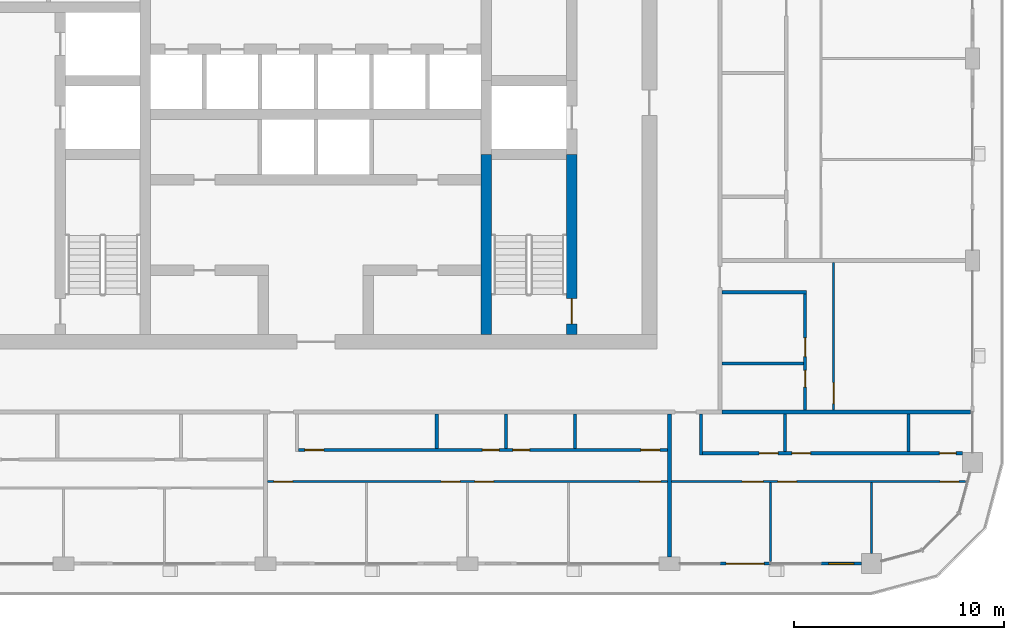
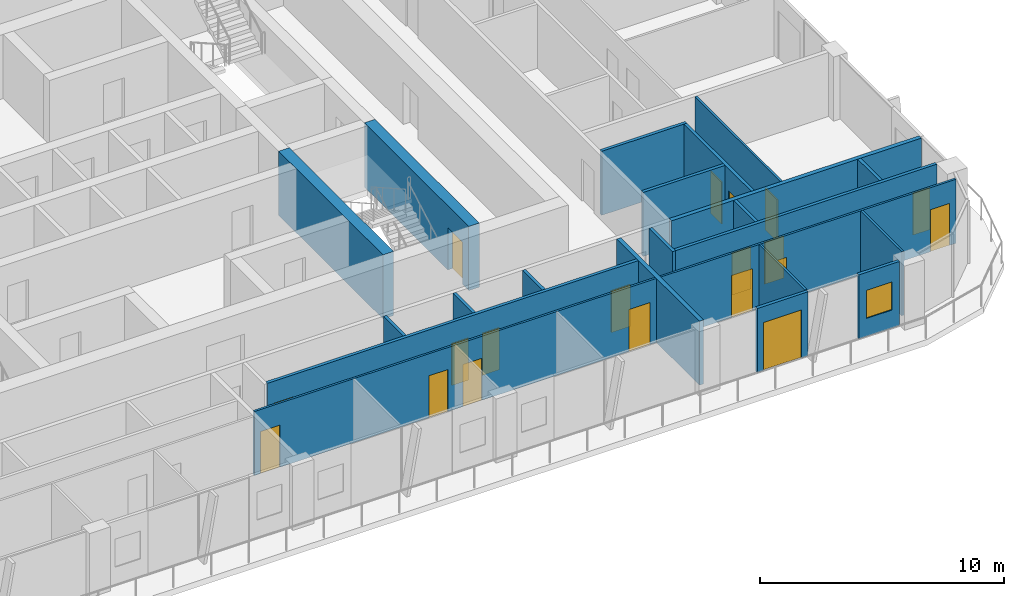
# One storey, part 12 of 23: 22 walls, 19 doors, 1 window, 20 openings.
"""IFC4 building model written with IfcOpenShell, lengths in metres."""

import ifcopenshell
import ifcopenshell.guid

model = None  # the IFC model being written
_history = None  # IfcOwnerHistory: only IFC2X3 demands one
_inside = {}  # id of a spatial element -> (the spatial element, [elements in it])
_under = {}  # id of a project, library or spatial element -> (it, [spatial elements below it])
_declared = {}  # id of a project -> (the project, [libraries it declares])
_typed = {}  # id of a type object -> (the type object, [elements of that type])
_made_of = {}  # id of a material, layer set ... -> (it, [elements and type objects made of it])


def new_model(schema):
    """Start an empty IFC model of exactly this schema.

    Asked for "IFC4X3", IfcOpenShell would pick the latest addendum, in which some entities
    have other attributes; the version numbers below select the first issue.
    IFC2X3 requires an IfcOwnerHistory on every rooted entity: one is made here for all.
    """
    global model, _history
    if schema == "IFC4X3":
        model = ifcopenshell.file(schema_version=(4, 3, 0, 0))
    else:
        model = ifcopenshell.file(schema=schema)
    _inside.clear()
    _under.clear()
    _declared.clear()
    _typed.clear()
    _made_of.clear()
    _history = None
    if model.schema == "IFC2X3":
        org = make("IfcOrganization", Name="unknown")
        user = make(
            "IfcPersonAndOrganization",
            ThePerson=make("IfcPerson", FamilyName="unknown"),
            TheOrganization=org,
        )
        app = make(
            "IfcApplication",
            ApplicationDeveloper=org,
            Version="unknown",
            ApplicationFullName="unknown",
            ApplicationIdentifier="unknown",
        )
        _history = make(
            "IfcOwnerHistory",
            OwningUser=user,
            OwningApplication=app,
            ChangeAction="ADDED",
            CreationDate=0,
        )
    return model


def make(cls, **values):
    """One entity of the class cls with the attributes given. An attribute that is None is left unset."""
    return model.create_entity(
        cls, **{name: value for name, value in values.items() if value is not None}
    )


def rooted(cls, **values):
    """An entity with a GlobalId (a new one), such as an element, a storey or a relation."""
    return make(cls, GlobalId=ifcopenshell.guid.new(), OwnerHistory=_history, **values)


def si_unit(unit_type, name, prefix=None):
    """IfcSIUnit, for example si_unit("LENGTHUNIT", "METRE", prefix="MILLI")."""
    return make("IfcSIUnit", UnitType=unit_type, Prefix=prefix, Name=name)


def assignment(units):
    """IfcUnitAssignment: the units of a project."""
    return None if units is None else make("IfcUnitAssignment", Units=units)


def point(xyz):
    """IfcCartesianPoint."""
    return None if xyz is None else make("IfcCartesianPoint", Coordinates=xyz)


def direction(xyz):
    """IfcDirection."""
    return None if xyz is None else make("IfcDirection", DirectionRatios=xyz)


def frame(location, z_axis=None, x_axis=None):
    """IfcAxis2Placement3D, a coordinate frame: its origin and axes. An axis left out is left unset."""
    return make(
        "IfcAxis2Placement3D",
        Location=point(location),
        Axis=direction(z_axis),
        RefDirection=direction(x_axis),
    )


def frame_2d(location, x_axis=None):
    """IfcAxis2Placement2D, a coordinate frame in the plane: its origin and x axis."""
    return make(
        "IfcAxis2Placement2D", Location=point(location), RefDirection=direction(x_axis)
    )


def origin():
    """The frame at (0, 0, 0) with its axes left unset."""
    return frame((0.0, 0.0, 0.0))


def place(relative_to, where):
    """IfcLocalPlacement: puts the frame where relative to a parent placement (None: the world)."""
    return make(
        "IfcLocalPlacement", PlacementRelTo=relative_to, RelativePlacement=where
    )


def context(
    kind, dimensions, precision=None, world=None, true_north=None, identifier=None
):
    """IfcGeometricRepresentationContext, for example the 3D "Model" context."""
    return make(
        "IfcGeometricRepresentationContext",
        ContextIdentifier=identifier,
        ContextType=kind,
        CoordinateSpaceDimension=dimensions,
        Precision=precision,
        WorldCoordinateSystem=world,
        TrueNorth=true_north,
    )


def subcontext(parent, identifier, kind, view, scale=None):
    """IfcGeometricRepresentationSubContext, for example "Body" below "Model"."""
    return make(
        "IfcGeometricRepresentationSubContext",
        ContextIdentifier=identifier,
        ContextType=kind,
        ParentContext=parent,
        TargetScale=scale,
        TargetView=view,
    )


def project(units=None, contexts=None):
    """IfcProject with its units and contexts."""
    return rooted(
        "IfcProject",
        Name="project",
        RepresentationContexts=contexts,
        UnitsInContext=assignment(units),
    )


def spatial(cls, under=None, at=None, **own):
    """A site, building, storey or space (cls), placed at a placement, below another one or the project."""
    s = rooted(cls, ObjectPlacement=at, **own)
    if under is not None:
        _under.setdefault(under.id(), (under, []))[1].append(s)
    return s


def profile(cls, at=None, kind="AREA", **sizes):
    """A parametric profile (cls). Its sizes go by their IFC names, for example OverallWidth=200.0."""
    return make(cls, ProfileType=kind, Position=at, **sizes)


def rectangle(**sizes):
    """IfcRectangleProfileDef."""
    return profile("IfcRectangleProfileDef", **sizes)


def extrude(swept, where, along, depth):
    """IfcExtrudedAreaSolid: the profile swept, set in the frame where, extruded along a direction by depth."""
    return make(
        "IfcExtrudedAreaSolid",
        SweptArea=swept,
        Position=where,
        ExtrudedDirection=direction(along),
        Depth=depth,
    )


def shape(context_of_items, identifier, shape_type, items):
    """IfcShapeRepresentation: the items that make up one representation, for example the "Body"."""
    return make(
        "IfcShapeRepresentation",
        ContextOfItems=context_of_items,
        RepresentationIdentifier=identifier,
        RepresentationType=shape_type,
        Items=items,
    )


def material(Name=None, Category=None):
    """IfcMaterial."""
    return make("IfcMaterial", Name=Name, Category=Category)


def layer(
    of_material, thickness, ventilated=None, Name=None, Category=None, Priority=None
):
    """IfcMaterialLayer: one layer of a wall or slab, of a material (None: an air gap)."""
    return make(
        "IfcMaterialLayer",
        Material=of_material,
        LayerThickness=thickness,
        IsVentilated=ventilated,
        Name=Name,
        Category=Category,
        Priority=Priority,
    )


def layer_set(layers, Name=None):
    """IfcMaterialLayerSet."""
    return make("IfcMaterialLayerSet", MaterialLayers=layers, LayerSetName=Name)


def made_of(thing, what):
    """Note that an element or type object is made of a material, layer set ...; save() writes the relation."""
    if what is not None:
        _made_of.setdefault(what.id(), (what, []))[1].append(thing)
    return thing


def type_object(cls, material=None, **own):
    """A type object (cls), such as IfcWallType, which elements share."""
    return made_of(rooted(cls, **own), material)


def element(
    cls,
    number,
    at=None,
    inside=None,
    cuts=None,
    type_object=None,
    material=None,
    context=None,
    identifier="Body",
    shape_type=None,
    held_by="IfcProductDefinitionShape",
    body=None,
    shapes=None,
    **own,
):
    """One element of the class cls, such as IfcWall. Its Tag is "e" and its number.

    at: its placement. inside: the storey or other place that contains it. cuts: it is an
    opening in that element (IfcRelVoidsElement). A single representation is given by context,
    identifier, shape_type and body (its items); several are given by shapes. held_by: the class
    of the entity that holds the representations. save() writes the other relations.
    """
    e = rooted(cls, Tag="e%d" % number, ObjectPlacement=at, **own)
    if body is not None:
        shapes = [shape(context, identifier, shape_type, body)]
    if shapes is not None:
        e.Representation = make(held_by, Representations=shapes)
    if inside is not None:
        _inside.setdefault(inside.id(), (inside, []))[1].append(e)
    if cuts is not None:
        rooted(
            "IfcRelVoidsElement", RelatingBuildingElement=cuts, RelatedOpeningElement=e
        )
    if type_object is not None:
        _typed.setdefault(type_object.id(), (type_object, []))[1].append(e)
    return made_of(e, material)


def fill(opening, filler):
    """IfcRelFillsElement: the door or window that sits in an opening."""
    return rooted(
        "IfcRelFillsElement",
        RelatingOpeningElement=opening,
        RelatedBuildingElement=filler,
    )


def aggregate(whole, parts):
    """IfcRelAggregates: a whole, such as a stair, and the parts it consists of."""
    return rooted("IfcRelAggregates", RelatingObject=whole, RelatedObjects=parts)


def save(model, path):
    """Write the relations noted so far, then the file.

    IfcRelAggregates (storeys below a building ...), IfcRelContainedInSpatialStructure (elements
    in a storey), IfcRelDefinesByType, IfcRelAssociatesMaterial and IfcRelDeclares: one each for
    every whole, place, type object, material and project.
    """
    for whole, parts in _under.values():
        aggregate(whole, parts)
    for where, things in _inside.values():
        rooted(
            "IfcRelContainedInSpatialStructure",
            RelatedElements=things,
            RelatingStructure=where,
        )
    for kind, things in _typed.values():
        rooted("IfcRelDefinesByType", RelatedObjects=things, RelatingType=kind)
    for what, things in _made_of.values():
        rooted("IfcRelAssociatesMaterial", RelatedObjects=things, RelatingMaterial=what)
    for by, libraries in _declared.values():
        rooted("IfcRelDeclares", RelatingContext=by, RelatedDefinitions=libraries)
    model.write(path)


model = new_model("IFC4")

# Units and contexts
model_context = context("Model", 3, precision=1e-05, world=origin(), true_north=direction((0.0, 1.0)))
body_context = subcontext(model_context, "Body", "Model", "MODEL_VIEW")
ifc_project = project(units=[si_unit("LENGTHUNIT", "METRE"), si_unit("AREAUNIT", "SQUARE_METRE"), si_unit("VOLUMEUNIT", "CUBIC_METRE"), si_unit("PLANEANGLEUNIT", "RADIAN"), si_unit("MASSUNIT", "GRAM", prefix="KILO")], contexts=[model_context])

# Site, building, storey
site_placement = place(None, origin())
site = spatial("IfcSite", under=ifc_project, at=site_placement, CompositionType="ELEMENT")
building_placement = place(site_placement, origin())
building = spatial("IfcBuilding", under=site, at=building_placement, Name="Madar Terraces", CompositionType="ELEMENT")
storey_placement = place(building_placement, frame((0.0, 0.0, 219.300048828125)))
storey = spatial("IfcBuildingStorey", under=building, at=storey_placement, Name="L57", CompositionType="ELEMENT", Elevation=219.300048828125)

# Wall
ifc_material_1 = material(Name="Concrete C60/75", Category="concrete")
ifc_layer_1 = layer(ifc_material_1, 0.5)
ifc_layer_set_1 = layer_set([ifc_layer_1], Name="Concrete C60/75 (CIW4 RC wall 500)")
wall_type_1 = type_object("IfcWallType", Name="CIW4 RC wall 500", PredefinedType="SHEAR", material=ifc_layer_set_1)
wall_1_placement = place(storey_placement, frame((39.300048828125, 15.699951171875, 0.0), z_axis=(0.0, 0.0, 1.0), x_axis=(0.0, 1.0, 0.0)))
element("IfcWall", 1, at=wall_1_placement, inside=storey, type_object=wall_type_1, Name="CORE SHAFT WALL", PredefinedType="SHEAR", context=body_context, shape_type="SweptSolid", body=[
    extrude(rectangle(XDim=8.550048828125, YDim=0.5, at=frame_2d((4.27490234375, 0.0))), origin(), (0.0, 0.0, 1.0), 3.199951171875),
])

# Wall, opening, door
wall_2_placement = place(storey_placement, frame((43.35009765625, 15.699951171875, 0.0), z_axis=(0.0, 0.0, 1.0), x_axis=(0.0, 1.0, 0.0)))
wall_2 = element("IfcWall", 2, at=wall_2_placement, inside=storey, type_object=wall_type_1, Name="CORE SHAFT WALL", PredefinedType="SHEAR", context=body_context, shape_type="SweptSolid", body=[
    extrude(rectangle(XDim=8.550048828125, YDim=0.5, at=frame_2d((4.27490234375, 0.0))), origin(), (0.0, 0.0, 1.0), 3.199951171875),
])
opening_1_placement = place(wall_2_placement, frame((0.5, 0.0, 0.0)))
opening_1 = element("IfcOpeningElement", 3, at=opening_1_placement, cuts=wall_2, Name="Opening SD1", PredefinedType="OPENING", context=body_context, shape_type="SweptSolid", body=[
    extrude(rectangle(XDim=1.199951171875, YDim=2.10009765625, at=frame_2d((0.60009765625, 1.050048828125))), frame((0.0, 0.260009765625, 0.0), z_axis=(0.0, -1.0, 0.0), x_axis=(1.0, 0.0, 0.0)), (0.0, 0.0, 1.0), 0.52001953125),
])
ifc_material_2 = material(Name="Steel door leaf", Category="steel")
door_type_1 = type_object("IfcDoorType", Name="Stair door 1200 x 2100", OperationType="NOTDEFINED", PredefinedType="DOOR", material=ifc_material_2)
door_1_placement = place(opening_1_placement, origin())
door_1 = element("IfcDoor", 4, at=door_1_placement, inside=storey, type_object=door_type_1, Name="STAIR DOOR", OperationType="SINGLE_SWING_RIGHT", OverallHeight=2.10009765625, OverallWidth=1.199951171875, PredefinedType="DOOR", context=body_context, shape_type="SweptSolid", body=[
    extrude(rectangle(XDim=1.199951171875, YDim=2.10009765625, at=frame_2d((0.60009765625, 1.050048828125))), frame((0.0, 0.02490234375, 0.0), z_axis=(0.0, -1.0, 0.0), x_axis=(1.0, 0.0, 0.0)), (0.0, 0.0, 1.0), 0.050048828125),
])
fill(opening_1, door_1)

ifc_material_3 = material(Name="Aluminium composite panel, black, over insulated backing", Category="aluminium")
ifc_layer_2 = layer(ifc_material_3, 0.14990234375)
ifc_layer_set_2 = layer_set([ifc_layer_2], Name="Facade bay panel 150")
wall_type_2 = type_object("IfcWallType", Name="Facade bay panel 150", PredefinedType="SOLIDWALL", material=ifc_layer_set_2)
wall_3_placement = place(storey_placement, frame((50.39990234375, 4.800048828125, 0.0), z_axis=(0.0, 0.0, 1.0), x_axis=(1.0, 0.0, 0.0)))
wall_3 = element("IfcWall", 5, at=wall_3_placement, inside=storey, type_object=wall_type_2, Name="Facade bay panel", PredefinedType="SOLIDWALL", context=body_context, shape_type="SweptSolid", body=[
    extrude(rectangle(XDim=2.400146484375, YDim=0.14990234375, at=frame_2d((1.2001953125, 0.0))), origin(), (0.0, 0.0, 1.0), 3.199951171875),
])
opening_2_placement = place(wall_3_placement, frame((0.300048828125, 0.0, 0.0)))
opening_2 = element("IfcOpeningElement", 6, at=opening_2_placement, cuts=wall_3, Name="Opening ED1", PredefinedType="OPENING", context=body_context, shape_type="SweptSolid", body=[
    extrude(rectangle(XDim=1.800048828125, YDim=2.39990234375, at=frame_2d((0.89990234375, 1.199951171875))), frame((0.0, 0.0849609375, 0.0), z_axis=(0.0, -1.0, 0.0), x_axis=(1.0, 0.0, 0.0)), (0.0, 0.0, 1.0), 0.169921875),
])
ifc_material_4 = material(Name="Glass, clear, with black aluminium frame", Category="aluminium")
door_type_2 = type_object("IfcDoorType", Name="Balcony and terrace sliding door 1800 x 2400", OperationType="SLIDING_TO_LEFT", PredefinedType="DOOR", material=ifc_material_4)
door_2_placement = place(opening_2_placement, origin())
door_2 = element("IfcDoor", 7, at=door_2_placement, inside=storey, type_object=door_type_2, Name="Balcony door", OperationType="SLIDING_TO_RIGHT", OverallHeight=2.39990234375, OverallWidth=1.800048828125, PredefinedType="DOOR", context=body_context, shape_type="SweptSolid", body=[
    extrude(rectangle(XDim=1.800048828125, YDim=2.39990234375, at=frame_2d((0.89990234375, 1.199951171875))), frame((0.0, 0.02490234375, 0.0), z_axis=(0.0, -1.0, 0.0), x_axis=(1.0, 0.0, 0.0)), (0.0, 0.0, 1.0), 0.050048828125),
])
fill(opening_2, door_2)

# Wall, opening, window
wall_4_placement = place(storey_placement, frame((55.199951171875, 4.800048828125, 0.0), z_axis=(0.0, 0.0, 1.0), x_axis=(1.0, 0.0, 0.0)))
wall_4 = element("IfcWall", 8, at=wall_4_placement, inside=storey, type_object=wall_type_2, Name="Facade bay panel", PredefinedType="SOLIDWALL", context=body_context, shape_type="SweptSolid", body=[
    extrude(rectangle(XDim=1.925048828125, YDim=0.14990234375, at=frame_2d((0.96240234375, 0.0))), origin(), (0.0, 0.0, 1.0), 3.199951171875),
])
opening_3_placement = place(wall_4_placement, frame((0.362548828125, 0.0, 0.89990234375)))
opening_3 = element("IfcOpeningElement", 9, at=opening_3_placement, cuts=wall_4, Name="Opening W1", PredefinedType="OPENING", context=body_context, shape_type="SweptSolid", body=[
    extrude(rectangle(XDim=1.199951171875, YDim=1.39990234375, at=frame_2d((0.60009765625, 0.699951171875))), frame((0.0, 0.0849609375, 0.0), z_axis=(0.0, -1.0, 0.0), x_axis=(1.0, 0.0, 0.0)), (0.0, 0.0, 1.0), 0.169921875),
])
ifc_material_5 = material(Name="Glass, clear, with black aluminium frame", Category="aluminium")
window_type = type_object("IfcWindowType", Name="Vent window 1200 x 1400", PartitioningType="SINGLE_PANEL", PredefinedType="WINDOW", material=ifc_material_5)
window_placement = place(opening_3_placement, origin())
window = element("IfcWindow", 10, at=window_placement, inside=storey, type_object=window_type, Name="Operable vent window", OverallHeight=1.39990234375, OverallWidth=1.199951171875, PartitioningType="SINGLE_PANEL", PredefinedType="WINDOW", context=body_context, shape_type="SweptSolid", body=[
    extrude(rectangle(XDim=1.199951171875, YDim=1.39990234375, at=frame_2d((0.60009765625, 0.699951171875))), frame((0.0, 0.030029296875, 0.0), z_axis=(0.0, -1.0, 0.0), x_axis=(1.0, 0.0, 0.0)), (0.0, 0.0, 1.0), 0.06005859375),
])
fill(opening_3, window)

# Wall, openings, doors
ifc_material_6 = material(Name="Gypsum board on steel studs", Category="steel")
ifc_layer_3 = layer(ifc_material_6, 0.10009765625)
ifc_layer_set_3 = layer_set([ifc_layer_3], Name="Flat partition 100")
wall_type_3 = type_object("IfcWallType", Name="Flat partition 100", PredefinedType="PARTITIONING", material=ifc_layer_set_3)
wall_5_placement = place(storey_placement, frame((47.89990234375, 8.699951171875, 0.0), z_axis=(0.0, 0.0, 1.0), x_axis=(-1.0, 0.0, 0.0)))
wall_5 = element("IfcWall", 11, at=wall_5_placement, inside=storey, type_object=wall_type_3, Name="Flat partition 100", PredefinedType="PARTITIONING", context=body_context, shape_type="SweptSolid", body=[
    extrude(rectangle(XDim=19.0, YDim=0.10009765625, at=frame_2d((9.5, 0.0))), origin(), (0.0, 0.0, 1.0), 3.199951171875),
])
opening_4_placement = place(wall_5_placement, frame((17.800048828125, 0.0, 0.0)))
opening_4 = element("IfcOpeningElement", 12, at=opening_4_placement, cuts=wall_5, Name="Opening D2", PredefinedType="OPENING", context=body_context, shape_type="SweptSolid", body=[
    extrude(rectangle(XDim=0.89990234375, YDim=2.10009765625, at=frame_2d((0.449951171875, 1.050048828125))), frame((0.0, 0.06005859375, 0.0), z_axis=(0.0, -1.0, 0.0), x_axis=(1.0, 0.0, 0.0)), (0.0, 0.0, 1.0), 0.1201171875),
])
opening_5_placement = place(wall_5_placement, frame((9.85009765625, 0.0, 0.0)))
opening_5 = element("IfcOpeningElement", 13, at=opening_5_placement, cuts=wall_5, Name="Opening D2", PredefinedType="OPENING", context=body_context, shape_type="SweptSolid", body=[
    extrude(rectangle(XDim=0.89990234375, YDim=2.10009765625, at=frame_2d((0.449951171875, 1.050048828125))), frame((0.0, 0.06005859375, 0.0), z_axis=(0.0, -1.0, 0.0), x_axis=(1.0, 0.0, 0.0)), (0.0, 0.0, 1.0), 0.1201171875),
])
opening_6_placement = place(wall_5_placement, frame((8.25, 0.0, 0.0)))
opening_6 = element("IfcOpeningElement", 14, at=opening_6_placement, cuts=wall_5, Name="Opening D2", PredefinedType="OPENING", context=body_context, shape_type="SweptSolid", body=[
    extrude(rectangle(XDim=0.89990234375, YDim=2.10009765625, at=frame_2d((0.449951171875, 1.050048828125))), frame((0.0, 0.06005859375, 0.0), z_axis=(0.0, -1.0, 0.0), x_axis=(1.0, 0.0, 0.0)), (0.0, 0.0, 1.0), 0.1201171875),
])
opening_7_placement = place(wall_5_placement, frame((0.300048828125, 0.0, 0.0)))
opening_7 = element("IfcOpeningElement", 15, at=opening_7_placement, cuts=wall_5, Name="Opening D3", PredefinedType="OPENING", context=body_context, shape_type="SweptSolid", body=[
    extrude(rectangle(XDim=1.0, YDim=2.10009765625, at=frame_2d((0.5, 1.050048828125))), frame((0.0, 0.06005859375, 0.0), z_axis=(0.0, -1.0, 0.0), x_axis=(1.0, 0.0, 0.0)), (0.0, 0.0, 1.0), 0.1201171875),
])
ifc_material_7 = material(Name="Timber door leaf", Category="wood")
door_type_3 = type_object("IfcDoorType", Name="Flat living room door 1000", OperationType="NOTDEFINED", PredefinedType="DOOR", material=ifc_material_7)
door_3_placement = place(opening_7_placement, origin())
door_3 = element("IfcDoor", 16, at=door_3_placement, inside=storey, type_object=door_type_3, Name="Flat living room door 1000", OperationType="SINGLE_SWING_LEFT", OverallHeight=2.10009765625, OverallWidth=1.0, PredefinedType="DOOR", context=body_context, shape_type="SweptSolid", body=[
    extrude(rectangle(XDim=1.0, YDim=2.10009765625, at=frame_2d((0.5, 1.050048828125))), frame((0.0, 0.02490234375, 0.0), z_axis=(0.0, -1.0, 0.0), x_axis=(1.0, 0.0, 0.0)), (0.0, 0.0, 1.0), 0.050048828125),
])
fill(opening_7, door_3)
ifc_material_8 = material(Name="Timber door leaf", Category="wood")
door_type_4 = type_object("IfcDoorType", Name="Flat room door 900", OperationType="NOTDEFINED", PredefinedType="DOOR", material=ifc_material_8)
door_4_placement = place(opening_4_placement, origin())
door_4 = element("IfcDoor", 17, at=door_4_placement, inside=storey, type_object=door_type_4, Name="Flat room door 900", OperationType="SINGLE_SWING_RIGHT", OverallHeight=2.10009765625, OverallWidth=0.89990234375, PredefinedType="DOOR", context=body_context, shape_type="SweptSolid", body=[
    extrude(rectangle(XDim=0.89990234375, YDim=2.10009765625, at=frame_2d((0.449951171875, 1.050048828125))), frame((0.0, 0.02490234375, 0.0), z_axis=(0.0, -1.0, 0.0), x_axis=(1.0, 0.0, 0.0)), (0.0, 0.0, 1.0), 0.050048828125),
])
fill(opening_4, door_4)
door_5_placement = place(opening_5_placement, origin())
door_5 = element("IfcDoor", 18, at=door_5_placement, inside=storey, type_object=door_type_4, Name="Flat room door 900", OperationType="SINGLE_SWING_LEFT", OverallHeight=2.10009765625, OverallWidth=0.89990234375, PredefinedType="DOOR", context=body_context, shape_type="SweptSolid", body=[
    extrude(rectangle(XDim=0.89990234375, YDim=2.10009765625, at=frame_2d((0.449951171875, 1.050048828125))), frame((0.0, 0.02490234375, 0.0), z_axis=(0.0, -1.0, 0.0), x_axis=(1.0, 0.0, 0.0)), (0.0, 0.0, 1.0), 0.050048828125),
])
fill(opening_5, door_5)
door_6_placement = place(opening_6_placement, origin())
door_6 = element("IfcDoor", 19, at=door_6_placement, inside=storey, type_object=door_type_4, Name="Flat room door 900", OperationType="SINGLE_SWING_RIGHT", OverallHeight=2.10009765625, OverallWidth=0.89990234375, PredefinedType="DOOR", context=body_context, shape_type="SweptSolid", body=[
    extrude(rectangle(XDim=0.89990234375, YDim=2.10009765625, at=frame_2d((0.449951171875, 1.050048828125))), frame((0.0, 0.02490234375, 0.0), z_axis=(0.0, -1.0, 0.0), x_axis=(1.0, 0.0, 0.0)), (0.0, 0.0, 1.0), 0.050048828125),
])
fill(opening_6, door_6)

# Walls
wall_6_placement = place(storey_placement, frame((52.800048828125, 8.64990234375, 0.0), z_axis=(0.0, 0.0, 1.0), x_axis=(0.0, -1.0, 0.0)))
element("IfcWall", 20, at=wall_6_placement, inside=storey, type_object=wall_type_3, Name="Flat partition 100", PredefinedType="PARTITIONING", context=body_context, shape_type="SweptSolid", body=[
    extrude(rectangle(XDim=3.75, YDim=0.10009765625, at=frame_2d((1.875, 0.0))), origin(), (0.0, 0.0, 1.0), 3.199951171875),
])
wall_7_placement = place(storey_placement, frame((57.60009765625, 8.64990234375, 0.0), z_axis=(0.0, 0.0, 1.0), x_axis=(0.0, -1.0, 0.0)))
element("IfcWall", 21, at=wall_7_placement, inside=storey, type_object=wall_type_3, Name="Flat partition 100", PredefinedType="PARTITIONING", context=body_context, shape_type="SweptSolid", body=[
    extrude(rectangle(XDim=3.375, YDim=0.10009765625, at=frame_2d((1.6875, 0.0))), origin(), (0.0, 0.0, 1.0), 3.199951171875),
])

# Wall, openings, doors
wall_8_placement = place(storey_placement, frame((62.058837890625, 8.699951171875, 0.0), z_axis=(0.0, 0.0, 1.0), x_axis=(-1.0, 0.0, 0.0)))
wall_8 = element("IfcWall", 22, at=wall_8_placement, inside=storey, type_object=wall_type_3, Name="Flat partition 100", PredefinedType="PARTITIONING", context=body_context, shape_type="SweptSolid", body=[
    extrude(rectangle(XDim=13.958740234375, YDim=0.10009765625, at=frame_2d((6.9794921875, 0.0))), origin(), (0.0, 0.0, 1.0), 3.199951171875),
])
opening_8_placement = place(wall_8_placement, frame((9.60888671875, 0.0, 0.0)))
opening_8 = element("IfcOpeningElement", 23, at=opening_8_placement, cuts=wall_8, Name="Opening D3", PredefinedType="OPENING", context=body_context, shape_type="SweptSolid", body=[
    extrude(rectangle(XDim=1.0, YDim=2.10009765625, at=frame_2d((0.5, 1.050048828125))), frame((0.0, 0.06005859375, 0.0), z_axis=(0.0, -1.0, 0.0), x_axis=(1.0, 0.0, 0.0)), (0.0, 0.0, 1.0), 0.1201171875),
])
opening_9_placement = place(wall_8_placement, frame((8.0087890625, 0.0, 0.0)))
opening_9 = element("IfcOpeningElement", 24, at=opening_9_placement, cuts=wall_8, Name="Opening D2", PredefinedType="OPENING", context=body_context, shape_type="SweptSolid", body=[
    extrude(rectangle(XDim=0.89990234375, YDim=2.10009765625, at=frame_2d((0.449951171875, 1.050048828125))), frame((0.0, 0.06005859375, 0.0), z_axis=(0.0, -1.0, 0.0), x_axis=(1.0, 0.0, 0.0)), (0.0, 0.0, 1.0), 0.1201171875),
])
opening_10_placement = place(wall_8_placement, frame((0.300048828125, 0.0, 0.0)))
opening_10 = element("IfcOpeningElement", 25, at=opening_10_placement, cuts=wall_8, Name="Opening D2", PredefinedType="OPENING", context=body_context, shape_type="SweptSolid", body=[
    extrude(rectangle(XDim=0.89990234375, YDim=2.10009765625, at=frame_2d((0.449951171875, 1.050048828125))), frame((0.0, 0.06005859375, 0.0), z_axis=(0.0, -1.0, 0.0), x_axis=(1.0, 0.0, 0.0)), (0.0, 0.0, 1.0), 0.1201171875),
])
door_7_placement = place(opening_8_placement, origin())
door_7 = element("IfcDoor", 26, at=door_7_placement, inside=storey, type_object=door_type_3, Name="Flat living room door 1000", OperationType="SINGLE_SWING_LEFT", OverallHeight=2.10009765625, OverallWidth=1.0, PredefinedType="DOOR", context=body_context, shape_type="SweptSolid", body=[
    extrude(rectangle(XDim=1.0, YDim=2.10009765625, at=frame_2d((0.5, 1.050048828125))), frame((0.0, 0.02490234375, 0.0), z_axis=(0.0, -1.0, 0.0), x_axis=(1.0, 0.0, 0.0)), (0.0, 0.0, 1.0), 0.050048828125),
])
fill(opening_8, door_7)
door_8_placement = place(opening_9_placement, origin())
door_8 = element("IfcDoor", 27, at=door_8_placement, inside=storey, type_object=door_type_4, Name="Flat room door 900", OperationType="SINGLE_SWING_RIGHT", OverallHeight=2.10009765625, OverallWidth=0.89990234375, PredefinedType="DOOR", context=body_context, shape_type="SweptSolid", body=[
    extrude(rectangle(XDim=0.89990234375, YDim=2.10009765625, at=frame_2d((0.449951171875, 1.050048828125))), frame((0.0, 0.02490234375, 0.0), z_axis=(0.0, -1.0, 0.0), x_axis=(1.0, 0.0, 0.0)), (0.0, 0.0, 1.0), 0.050048828125),
])
fill(opening_9, door_8)
door_9_placement = place(opening_10_placement, origin())
door_9 = element("IfcDoor", 28, at=door_9_placement, inside=storey, type_object=door_type_4, Name="Flat room door 900", OperationType="SINGLE_SWING_LEFT", OverallHeight=2.10009765625, OverallWidth=0.89990234375, PredefinedType="DOOR", context=body_context, shape_type="SweptSolid", body=[
    extrude(rectangle(XDim=0.89990234375, YDim=2.10009765625, at=frame_2d((0.449951171875, 1.050048828125))), frame((0.0, 0.02490234375, 0.0), z_axis=(0.0, -1.0, 0.0), x_axis=(1.0, 0.0, 0.0)), (0.0, 0.0, 1.0), 0.050048828125),
])
fill(opening_10, door_9)

# Wall, opening, door
wall_9_placement = place(storey_placement, frame((55.800048828125, 19.10009765625, 0.0), z_axis=(0.0, 0.0, 1.0), x_axis=(0.0, -1.0, 0.0)))
wall_9 = element("IfcWall", 29, at=wall_9_placement, inside=storey, type_object=wall_type_3, Name="Flat partition 100", PredefinedType="PARTITIONING", context=body_context, shape_type="SweptSolid", body=[
    extrude(rectangle(XDim=7.0, YDim=0.10009765625, at=frame_2d((3.5, 0.0))), origin(), (0.0, 0.0, 1.0), 3.199951171875),
])
opening_11_placement = place(wall_9_placement, frame((5.699951171875, 0.0, 0.0)))
opening_11 = element("IfcOpeningElement", 30, at=opening_11_placement, cuts=wall_9, Name="Opening D3", PredefinedType="OPENING", context=body_context, shape_type="SweptSolid", body=[
    extrude(rectangle(XDim=1.0, YDim=2.10009765625, at=frame_2d((0.5, 1.050048828125))), frame((0.0, 0.06005859375, 0.0), z_axis=(0.0, -1.0, 0.0), x_axis=(1.0, 0.0, 0.0)), (0.0, 0.0, 1.0), 0.1201171875),
])
door_10_placement = place(opening_11_placement, origin())
door_10 = element("IfcDoor", 31, at=door_10_placement, inside=storey, type_object=door_type_3, Name="Flat living room door 1000", OperationType="SINGLE_SWING_RIGHT", OverallHeight=2.10009765625, OverallWidth=1.0, PredefinedType="DOOR", context=body_context, shape_type="SweptSolid", body=[
    extrude(rectangle(XDim=1.0, YDim=2.10009765625, at=frame_2d((0.5, 1.050048828125))), frame((0.0, 0.02490234375, 0.0), z_axis=(0.0, -1.0, 0.0), x_axis=(1.0, 0.0, 0.0)), (0.0, 0.0, 1.0), 0.050048828125),
])
fill(opening_11, door_10)

# Walls
ifc_material_9 = material(Name="Lightweight blockwork", Category="masonry")
ifc_layer_4 = layer(ifc_material_9, 0.199951171875)
ifc_layer_set_4 = layer_set([ifc_layer_4], Name="Flat party and entrance wall 200")
wall_type_4 = type_object("IfcWallType", Name="Flat party and entrance wall 200", PredefinedType="PARTITIONING", material=ifc_layer_set_4)
wall_10_placement = place(storey_placement, frame((48.0, 11.89990234375, 0.0), z_axis=(0.0, 0.0, 1.0), x_axis=(0.0, -1.0, 0.0)))
element("IfcWall", 32, at=wall_10_placement, inside=storey, type_object=wall_type_4, Name="Flat party and entrance wall 200", PredefinedType="PARTITIONING", context=body_context, shape_type="SweptSolid", body=[
    extrude(rectangle(XDim=6.77490234375, YDim=0.199951171875, at=frame_2d((3.387451171875, 0.0))), origin(), (0.0, 0.0, 1.0), 3.199951171875),
])
wall_11_placement = place(storey_placement, frame((50.5, 12.0, 0.0), z_axis=(0.0, 0.0, 1.0), x_axis=(1.0, 0.0, 0.0)))
element("IfcWall", 33, at=wall_11_placement, inside=storey, type_object=wall_type_4, Name="Flat party and entrance wall 200", PredefinedType="PARTITIONING", context=body_context, shape_type="SweptSolid", body=[
    extrude(rectangle(XDim=11.800048828125, YDim=0.199951171875, at=frame_2d((5.89990234375, 0.0))), origin(), (0.0, 0.0, 1.0), 3.199951171875),
])
ifc_material_10 = material(Name="Lightweight blockwork", Category="masonry")
ifc_layer_5 = layer(ifc_material_10, 0.14990234375)
ifc_layer_set_5 = layer_set([ifc_layer_5], Name="Flat wet-room partition 150")
wall_type_5 = type_object("IfcWallType", Name="Flat wet-room partition 150", PredefinedType="PARTITIONING", material=ifc_layer_set_5)
for number, where, z_axis, x_axis, name in (
    (34, (36.947021484375, 11.89990234375, 0.0), (0.0, 0.0, 1.0), (0.0, -1.0, 0.0), "Flat wet-room partition 150"),
    (35, (40.23291015625, 11.89990234375, 0.0), (0.0, 0.0, 1.0), (0.0, -1.0, 0.0), "Flat wet-room partition 150"),
    (36, (43.518798828125, 11.89990234375, 0.0), (0.0, 0.0, 1.0), (0.0, -1.0, 0.0), "Flat wet-room partition 150"),
):
    element("IfcWall", number, at=place(storey_placement, frame(where, z_axis=z_axis, x_axis=x_axis)), inside=storey, type_object=wall_type_5, Name=name, PredefinedType="PARTITIONING", context=body_context, shape_type="SweptSolid", body=[
        extrude(rectangle(XDim=1.625, YDim=0.14990234375, at=frame_2d((0.8125, 0.0))), origin(), (0.0, 0.0, 1.0), 3.199951171875),
    ])

# Wall, openings, doors
wall_12_placement = place(storey_placement, frame((30.375, 10.199951171875, 0.0), z_axis=(0.0, 0.0, 1.0), x_axis=(1.0, 0.0, 0.0)))
wall_12 = element("IfcWall", 37, at=wall_12_placement, inside=storey, type_object=wall_type_5, Name="Flat wet-room partition 150", PredefinedType="PARTITIONING", context=body_context, shape_type="SweptSolid", body=[
    extrude(rectangle(XDim=17.52490234375, YDim=0.14990234375, at=frame_2d((8.762451171875, 0.0))), origin(), (0.0, 0.0, 1.0), 3.199951171875),
])
opening_12_placement = place(wall_12_placement, frame((0.300048828125, 0.0, 0.0)))
opening_12 = element("IfcOpeningElement", 38, at=opening_12_placement, cuts=wall_12, Name="Opening D2", PredefinedType="OPENING", context=body_context, shape_type="SweptSolid", body=[
    extrude(rectangle(XDim=0.89990234375, YDim=2.10009765625, at=frame_2d((0.449951171875, 1.050048828125))), frame((0.0, 0.0849609375, 0.0), z_axis=(0.0, -1.0, 0.0), x_axis=(1.0, 0.0, 0.0)), (0.0, 0.0, 1.0), 0.169921875),
])
opening_13_placement = place(wall_12_placement, frame((8.73291015625, 0.0, 0.0)))
opening_13 = element("IfcOpeningElement", 39, at=opening_13_placement, cuts=wall_12, Name="Opening D4", PredefinedType="OPENING", context=body_context, shape_type="SweptSolid", body=[
    extrude(rectangle(XDim=0.800048828125, YDim=2.10009765625, at=frame_2d((0.39990234375, 1.050048828125))), frame((0.0, 0.0849609375, 0.0), z_axis=(0.0, -1.0, 0.0), x_axis=(1.0, 0.0, 0.0)), (0.0, 0.0, 1.0), 0.169921875),
])
opening_14_placement = place(wall_12_placement, frame((10.182861328125, 0.0, 0.0)))
opening_14 = element("IfcOpeningElement", 40, at=opening_14_placement, cuts=wall_12, Name="Opening D7", PredefinedType="OPENING", context=body_context, shape_type="SweptSolid", body=[
    extrude(rectangle(XDim=0.800048828125, YDim=2.10009765625, at=frame_2d((0.39990234375, 1.050048828125))), frame((0.0, 0.0849609375, 0.0), z_axis=(0.0, -1.0, 0.0), x_axis=(1.0, 0.0, 0.0)), (0.0, 0.0, 1.0), 0.169921875),
])
opening_15_placement = place(wall_12_placement, frame((16.27490234375, 0.0, 0.0)))
opening_15 = element("IfcOpeningElement", 41, at=opening_15_placement, cuts=wall_12, Name="Opening D5", PredefinedType="OPENING", context=body_context, shape_type="SweptSolid", body=[
    extrude(rectangle(XDim=0.89990234375, YDim=2.10009765625, at=frame_2d((0.449951171875, 1.050048828125))), frame((0.0, 0.0849609375, 0.0), z_axis=(0.0, -1.0, 0.0), x_axis=(1.0, 0.0, 0.0)), (0.0, 0.0, 1.0), 0.169921875),
])
ifc_material_11 = material(Name="Timber door leaf", Category="wood")
door_type_5 = type_object("IfcDoorType", Name="Flat accessible bathroom door 900", OperationType="NOTDEFINED", PredefinedType="DOOR", material=ifc_material_11)
door_11_placement = place(opening_15_placement, origin())
door_11 = element("IfcDoor", 42, at=door_11_placement, inside=storey, type_object=door_type_5, Name="Flat accessible bathroom door 900", OperationType="SINGLE_SWING_RIGHT", OverallHeight=2.10009765625, OverallWidth=0.89990234375, PredefinedType="DOOR", context=body_context, shape_type="SweptSolid", body=[
    extrude(rectangle(XDim=0.89990234375, YDim=2.10009765625, at=frame_2d((0.449951171875, 1.050048828125))), frame((0.0, 0.02490234375, 0.0), z_axis=(0.0, -1.0, 0.0), x_axis=(1.0, 0.0, 0.0)), (0.0, 0.0, 1.0), 0.050048828125),
])
fill(opening_15, door_11)
ifc_material_12 = material(Name="Timber door leaf", Category="wood")
door_type_6 = type_object("IfcDoorType", Name="Flat bathroom door 800", OperationType="NOTDEFINED", PredefinedType="DOOR", material=ifc_material_12)
door_12_placement = place(opening_13_placement, origin())
door_12 = element("IfcDoor", 43, at=door_12_placement, inside=storey, type_object=door_type_6, Name="Flat bathroom door 800", OperationType="SINGLE_SWING_RIGHT", OverallHeight=2.10009765625, OverallWidth=0.800048828125, PredefinedType="DOOR", context=body_context, shape_type="SweptSolid", body=[
    extrude(rectangle(XDim=0.800048828125, YDim=2.10009765625, at=frame_2d((0.39990234375, 1.050048828125))), frame((0.0, 0.02490234375, 0.0), z_axis=(0.0, -1.0, 0.0), x_axis=(1.0, 0.0, 0.0)), (0.0, 0.0, 1.0), 0.050048828125),
])
fill(opening_13, door_12)
door_13_placement = place(opening_12_placement, origin())
door_13 = element("IfcDoor", 44, at=door_13_placement, inside=storey, type_object=door_type_4, Name="Flat room door 900", OperationType="SINGLE_SWING_LEFT", OverallHeight=2.10009765625, OverallWidth=0.89990234375, PredefinedType="DOOR", context=body_context, shape_type="SweptSolid", body=[
    extrude(rectangle(XDim=0.89990234375, YDim=2.10009765625, at=frame_2d((0.449951171875, 1.050048828125))), frame((0.0, 0.02490234375, 0.0), z_axis=(0.0, -1.0, 0.0), x_axis=(1.0, 0.0, 0.0)), (0.0, 0.0, 1.0), 0.050048828125),
])
fill(opening_12, door_13)
ifc_material_13 = material(Name="Timber door leaf", Category="wood")
door_type_7 = type_object("IfcDoorType", Name="Flat utility door 800", OperationType="NOTDEFINED", PredefinedType="DOOR", material=ifc_material_13)
door_14_placement = place(opening_14_placement, origin())
door_14 = element("IfcDoor", 45, at=door_14_placement, inside=storey, type_object=door_type_7, Name="Flat utility door 800", OperationType="SINGLE_SWING_LEFT", OverallHeight=2.10009765625, OverallWidth=0.800048828125, PredefinedType="DOOR", context=body_context, shape_type="SweptSolid", body=[
    extrude(rectangle(XDim=0.800048828125, YDim=2.10009765625, at=frame_2d((0.39990234375, 1.050048828125))), frame((0.0, 0.02490234375, 0.0), z_axis=(0.0, -1.0, 0.0), x_axis=(1.0, 0.0, 0.0)), (0.0, 0.0, 1.0), 0.050048828125),
])
fill(opening_14, door_14)

# Walls
for number, where, z_axis, x_axis, name in (
    (46, (53.490478515625, 11.89990234375, 0.0), (0.0, 0.0, 1.0), (0.0, -1.0, 0.0), "Flat wet-room partition 150"),
    (47, (59.363525390625, 11.89990234375, 0.0), (0.0, 0.0, 1.0), (0.0, -1.0, 0.0), "Flat wet-room partition 150"),
):
    element("IfcWall", number, at=place(storey_placement, frame(where, z_axis=z_axis, x_axis=x_axis)), inside=storey, type_object=wall_type_5, Name=name, PredefinedType="PARTITIONING", context=body_context, shape_type="SweptSolid", body=[
        extrude(rectangle(XDim=1.77490234375, YDim=0.14990234375, at=frame_2d((0.887451171875, 0.0))), origin(), (0.0, 0.0, 1.0), 3.199951171875),
    ])
wall_13_placement = place(storey_placement, frame((49.5, 11.89990234375, 0.0), z_axis=(0.0, 0.0, 1.0), x_axis=(0.0, -1.0, 0.0)))
element("IfcWall", 48, at=wall_13_placement, inside=storey, type_object=wall_type_5, Name="Flat wet-room partition 150", PredefinedType="PARTITIONING", context=body_context, shape_type="SweptSolid", body=[
    extrude(rectangle(XDim=1.9248046875, YDim=0.14990234375, at=frame_2d((0.96240234375, 0.0))), origin(), (0.0, 0.0, 1.0), 3.199951171875),
])

# Wall, openings, doors
wall_14_placement = place(storey_placement, frame((49.574951171875, 10.050048828125, 0.0), z_axis=(0.0, 0.0, 1.0), x_axis=(1.0, 0.0, 0.0)))
wall_14 = element("IfcWall", 49, at=wall_14_placement, inside=storey, type_object=wall_type_5, Name="Flat wet-room partition 150", PredefinedType="PARTITIONING", context=body_context, shape_type="SweptSolid", body=[
    extrude(rectangle(XDim=12.35009765625, YDim=0.14990234375, at=frame_2d((6.175048828125, 0.0))), origin(), (0.0, 0.0, 1.0), 3.199951171875),
])
opening_16_placement = place(wall_14_placement, frame((2.6904296875, 0.0, 0.0)))
opening_16 = element("IfcOpeningElement", 50, at=opening_16_placement, cuts=wall_14, Name="Opening D5", PredefinedType="OPENING", context=body_context, shape_type="SweptSolid", body=[
    extrude(rectangle(XDim=0.89990234375, YDim=2.10009765625, at=frame_2d((0.449951171875, 1.050048828125))), frame((0.0, 0.0849609375, 0.0), z_axis=(0.0, -1.0, 0.0), x_axis=(1.0, 0.0, 0.0)), (0.0, 0.0, 1.0), 0.169921875),
])
opening_17_placement = place(wall_14_placement, frame((4.240478515625, 0.0, 0.0)))
opening_17 = element("IfcOpeningElement", 51, at=opening_17_placement, cuts=wall_14, Name="Opening D2", PredefinedType="OPENING", context=body_context, shape_type="SweptSolid", body=[
    extrude(rectangle(XDim=0.89990234375, YDim=2.10009765625, at=frame_2d((0.449951171875, 1.050048828125))), frame((0.0, 0.0849609375, 0.0), z_axis=(0.0, -1.0, 0.0), x_axis=(1.0, 0.0, 0.0)), (0.0, 0.0, 1.0), 0.169921875),
])
opening_18_placement = place(wall_14_placement, frame((11.25, 0.0, 0.0)))
opening_18 = element("IfcOpeningElement", 52, at=opening_18_placement, cuts=wall_14, Name="Opening D4", PredefinedType="OPENING", context=body_context, shape_type="SweptSolid", body=[
    extrude(rectangle(XDim=0.800048828125, YDim=2.10009765625, at=frame_2d((0.39990234375, 1.050048828125))), frame((0.0, 0.0849609375, 0.0), z_axis=(0.0, -1.0, 0.0), x_axis=(1.0, 0.0, 0.0)), (0.0, 0.0, 1.0), 0.169921875),
])
door_15_placement = place(opening_16_placement, origin())
door_15 = element("IfcDoor", 53, at=door_15_placement, inside=storey, type_object=door_type_5, Name="Flat accessible bathroom door 900", OperationType="SINGLE_SWING_RIGHT", OverallHeight=2.10009765625, OverallWidth=0.89990234375, PredefinedType="DOOR", context=body_context, shape_type="SweptSolid", body=[
    extrude(rectangle(XDim=0.89990234375, YDim=2.10009765625, at=frame_2d((0.449951171875, 1.050048828125))), frame((0.0, 0.02490234375, 0.0), z_axis=(0.0, -1.0, 0.0), x_axis=(1.0, 0.0, 0.0)), (0.0, 0.0, 1.0), 0.050048828125),
])
fill(opening_16, door_15)
door_16_placement = place(opening_18_placement, origin())
door_16 = element("IfcDoor", 54, at=door_16_placement, inside=storey, type_object=door_type_6, Name="Flat bathroom door 800", OperationType="SINGLE_SWING_RIGHT", OverallHeight=2.10009765625, OverallWidth=0.800048828125, PredefinedType="DOOR", context=body_context, shape_type="SweptSolid", body=[
    extrude(rectangle(XDim=0.800048828125, YDim=2.10009765625, at=frame_2d((0.39990234375, 1.050048828125))), frame((0.0, 0.02490234375, 0.0), z_axis=(0.0, -1.0, 0.0), x_axis=(1.0, 0.0, 0.0)), (0.0, 0.0, 1.0), 0.050048828125),
])
fill(opening_18, door_16)
door_17_placement = place(opening_17_placement, origin())
door_17 = element("IfcDoor", 55, at=door_17_placement, inside=storey, type_object=door_type_4, Name="Flat room door 900", OperationType="SINGLE_SWING_LEFT", OverallHeight=2.10009765625, OverallWidth=0.89990234375, PredefinedType="DOOR", context=body_context, shape_type="SweptSolid", body=[
    extrude(rectangle(XDim=0.89990234375, YDim=2.10009765625, at=frame_2d((0.449951171875, 1.050048828125))), frame((0.0, 0.02490234375, 0.0), z_axis=(0.0, -1.0, 0.0), x_axis=(1.0, 0.0, 0.0)), (0.0, 0.0, 1.0), 0.050048828125),
])
fill(opening_17, door_17)

# Walls
wall_15_placement = place(storey_placement, frame((50.5, 14.31005859375, 0.0), z_axis=(0.0, 0.0, 1.0), x_axis=(1.0, 0.0, 0.0)))
element("IfcWall", 56, at=wall_15_placement, inside=storey, type_object=wall_type_5, Name="Flat wet-room partition 150", PredefinedType="PARTITIONING", context=body_context, shape_type="SweptSolid", body=[
    extrude(rectangle(XDim=3.875, YDim=0.14990234375, at=frame_2d((1.9375, 0.0))), origin(), (0.0, 0.0, 1.0), 3.199951171875),
])
wall_16_placement = place(storey_placement, frame((50.5, 17.699951171875, 0.0), z_axis=(0.0, 0.0, 1.0), x_axis=(1.0, 0.0, 0.0)))
element("IfcWall", 57, at=wall_16_placement, inside=storey, type_object=wall_type_5, Name="Flat wet-room partition 150", PredefinedType="PARTITIONING", context=body_context, shape_type="SweptSolid", body=[
    extrude(rectangle(XDim=4.02490234375, YDim=0.14990234375, at=frame_2d((2.012451171875, 0.0))), origin(), (0.0, 0.0, 1.0), 3.199951171875),
])

# Wall, openings, doors
wall_17_placement = place(storey_placement, frame((54.449951171875, 12.10009765625, 0.0), z_axis=(0.0, 0.0, 1.0), x_axis=(0.0, 1.0, 0.0)))
wall_17 = element("IfcWall", 58, at=wall_17_placement, inside=storey, type_object=wall_type_5, Name="Flat wet-room partition 150", PredefinedType="PARTITIONING", context=body_context, shape_type="SweptSolid", body=[
    extrude(rectangle(XDim=5.52490234375, YDim=0.14990234375, at=frame_2d((2.762451171875, 0.0))), origin(), (0.0, 0.0, 1.0), 3.199951171875),
])
opening_19_placement = place(wall_17_placement, frame((2.534912109375, 0.0, 0.0)))
opening_19 = element("IfcOpeningElement", 59, at=opening_19_placement, cuts=wall_17, Name="Opening D2", PredefinedType="OPENING", context=body_context, shape_type="SweptSolid", body=[
    extrude(rectangle(XDim=0.89990234375, YDim=2.10009765625, at=frame_2d((0.449951171875, 1.050048828125))), frame((0.0, 0.0849609375, 0.0), z_axis=(0.0, -1.0, 0.0), x_axis=(1.0, 0.0, 0.0)), (0.0, 0.0, 1.0), 0.169921875),
])
opening_20_placement = place(wall_17_placement, frame((1.0849609375, 0.0, 0.0)))
opening_20 = element("IfcOpeningElement", 60, at=opening_20_placement, cuts=wall_17, Name="Opening D4", PredefinedType="OPENING", context=body_context, shape_type="SweptSolid", body=[
    extrude(rectangle(XDim=0.800048828125, YDim=2.10009765625, at=frame_2d((0.39990234375, 1.050048828125))), frame((0.0, 0.0849609375, 0.0), z_axis=(0.0, -1.0, 0.0), x_axis=(1.0, 0.0, 0.0)), (0.0, 0.0, 1.0), 0.169921875),
])
door_18_placement = place(opening_20_placement, origin())
door_18 = element("IfcDoor", 61, at=door_18_placement, inside=storey, type_object=door_type_6, Name="Flat bathroom door 800", OperationType="SINGLE_SWING_RIGHT", OverallHeight=2.10009765625, OverallWidth=0.800048828125, PredefinedType="DOOR", context=body_context, shape_type="SweptSolid", body=[
    extrude(rectangle(XDim=0.800048828125, YDim=2.10009765625, at=frame_2d((0.39990234375, 1.050048828125))), frame((0.0, 0.02490234375, 0.0), z_axis=(0.0, -1.0, 0.0), x_axis=(1.0, 0.0, 0.0)), (0.0, 0.0, 1.0), 0.050048828125),
])
fill(opening_20, door_18)
door_19_placement = place(opening_19_placement, origin())
door_19 = element("IfcDoor", 62, at=door_19_placement, inside=storey, type_object=door_type_4, Name="Flat room door 900", OperationType="SINGLE_SWING_LEFT", OverallHeight=2.10009765625, OverallWidth=0.89990234375, PredefinedType="DOOR", context=body_context, shape_type="SweptSolid", body=[
    extrude(rectangle(XDim=0.89990234375, YDim=2.10009765625, at=frame_2d((0.449951171875, 1.050048828125))), frame((0.0, 0.02490234375, 0.0), z_axis=(0.0, -1.0, 0.0), x_axis=(1.0, 0.0, 0.0)), (0.0, 0.0, 1.0), 0.050048828125),
])
fill(opening_19, door_19)

save(model, "model.ifc")
